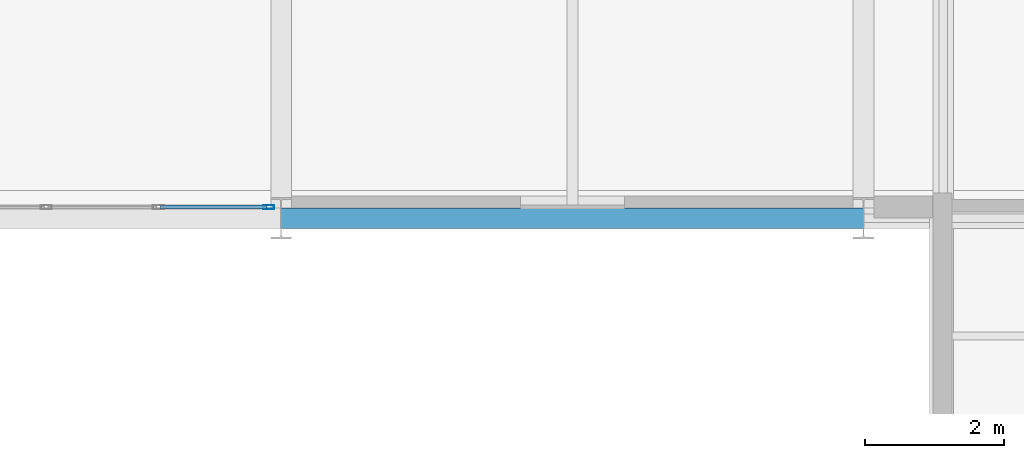
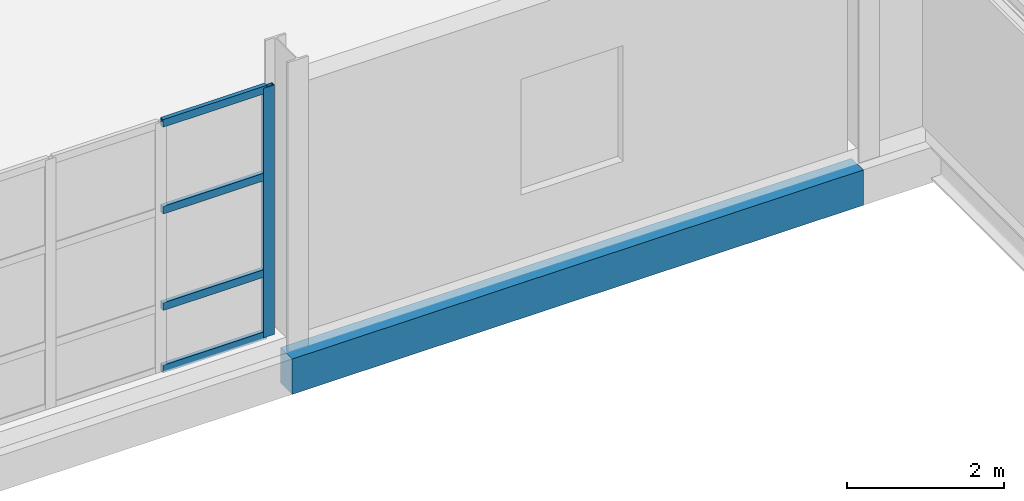
# One storey, part 52 of 130: 5 members, 1 beam, 1 element without a shape of its own.
"""IFC4 building model written with IfcOpenShell, lengths in metres."""

from ifc_helpers import new_model, si_unit, direction, frame, origin, origin_2d, place, context, subcontext, project, spatial, rectangle, hollow_rectangle, extrude, material, material_profile, profile_set, type_object, element, aggregate, save


model = new_model("IFC4")

# Units and contexts
model_context = context("Model", 3, precision=1e-05, world=origin(), true_north=direction((0.0, 1.0)))
body_context = subcontext(model_context, "Body", "Model", "MODEL_VIEW")
ifc_project = project(units=[si_unit("LENGTHUNIT", "METRE"), si_unit("AREAUNIT", "SQUARE_METRE"), si_unit("VOLUMEUNIT", "CUBIC_METRE"), si_unit("PLANEANGLEUNIT", "RADIAN"), si_unit("MASSUNIT", "GRAM", prefix="KILO")], contexts=[model_context])

# Site, building, storey
site_placement = place(None, origin())
site = spatial("IfcSite", under=ifc_project, at=site_placement, CompositionType="ELEMENT")
building_placement = place(site_placement, origin())
building = spatial("IfcBuilding", under=site, at=building_placement, Name="Veltarok Museum of Natural Sciences", CompositionType="ELEMENT")
storey_placement = place(building_placement, frame((0.0, 0.0, 12.89990234375)))
storey = spatial("IfcBuildingStorey", under=building, at=storey_placement, Name="L02", CompositionType="ELEMENT", Elevation=12.89990234375)

# Curtain wall, members
ifc_material_1 = material(Name="Low-iron triple insulated glass", Category="glass")
curtain_wall_type = type_object("IfcCurtainWallType", Name="Curtain Wall System CW-V5S-L02-14-810x388 (V5 South Lab Curtain Wall L02 14-15 810x388cm)", PredefinedType="NOTDEFINED", material=ifc_material_1)
curtain_wall_placement = place(storey_placement, origin())
curtain_wall = element("IfcCurtainWall", 1, at=curtain_wall_placement, inside=storey, type_object=curtain_wall_type, Name="Curtain Wall CW-V5S-L02-14-810x388 CW-0092", PredefinedType="NOTDEFINED")
ifc_material_2 = material(Name="Thermally broken anodised aluminium", Category="aluminium")
ifc_material_profile_1 = material_profile(ifc_material_2, hollow_rectangle(XDim=0.06005859375, YDim=0.1201171875, WallThickness=0.0048828125, at=origin_2d()), Name="CW TRANSOM 60x120x5")
ifc_profile_set_1 = profile_set([ifc_material_profile_1], Name="Thermally broken anodised aluminium")
member_type_1 = type_object("IfcMemberType", Name="Curtain Wall Horizontal Transom 60x120x5", PredefinedType="USERDEFINED", material=ifc_profile_set_1)
member_1_placement = place(storey_placement, frame((122.260009765625, 0.159912109375, 0.030029296875), z_axis=(1.0, 0.0, 0.0), x_axis=(0.0, 1.0, 0.0)))
member_1 = element("IfcMember", 2, at=member_1_placement, type_object=member_type_1, Name="CW-V5S-L02-14-810x388 transom 5.1", ObjectType="TRANSOM", PredefinedType="USERDEFINED", context=body_context, shape_type="SweptSolid", body=[
    extrude(hollow_rectangle(XDim=0.06005859375, YDim=0.1201171875, WallThickness=0.0048828125, at=origin_2d()), origin(), (0.0, 0.0, 1.0), 1.530029296875),
])
member_2_placement = place(storey_placement, frame((122.260009765625, 0.159912109375, 1.0), z_axis=(1.0, 0.0, 0.0), x_axis=(0.0, 1.0, 0.0)))
member_2 = element("IfcMember", 3, at=member_2_placement, type_object=member_type_1, Name="CW-V5S-L02-14-810x388 transom 5.2", ObjectType="TRANSOM", PredefinedType="USERDEFINED", context=body_context, shape_type="SweptSolid", body=[
    extrude(hollow_rectangle(XDim=0.06005859375, YDim=0.1201171875, WallThickness=0.0048828125, at=origin_2d()), origin(), (0.0, 0.0, 1.0), 1.530029296875),
])
member_3_placement = place(storey_placement, frame((122.260009765625, 0.159912109375, 2.5), z_axis=(1.0, 0.0, 0.0), x_axis=(0.0, 1.0, 0.0)))
member_3 = element("IfcMember", 4, at=member_3_placement, type_object=member_type_1, Name="CW-V5S-L02-14-810x388 transom 5.3", ObjectType="TRANSOM", PredefinedType="USERDEFINED", context=body_context, shape_type="SweptSolid", body=[
    extrude(hollow_rectangle(XDim=0.06005859375, YDim=0.1201171875, WallThickness=0.0048828125, at=origin_2d()), origin(), (0.0, 0.0, 1.0), 1.530029296875),
])
member_4_placement = place(storey_placement, frame((122.260009765625, 0.159912109375, 3.85009765625), z_axis=(1.0, 0.0, 0.0), x_axis=(0.0, 1.0, 0.0)))
member_4 = element("IfcMember", 5, at=member_4_placement, type_object=member_type_1, Name="CW-V5S-L02-14-810x388 transom 5.4", ObjectType="TRANSOM", PredefinedType="USERDEFINED", context=body_context, shape_type="SweptSolid", body=[
    extrude(hollow_rectangle(XDim=0.06005859375, YDim=0.1201171875, WallThickness=0.0048828125, at=origin_2d()), origin(), (0.0, 0.0, 1.0), 1.530029296875),
])
ifc_material_profile_2 = material_profile(ifc_material_2, hollow_rectangle(XDim=0.06005859375, YDim=0.159912109375, WallThickness=0.0048828125, at=origin_2d()), Name="CW MULLION 60x160x5")
ifc_profile_set_2 = profile_set([ifc_material_profile_2], Name="Thermally broken anodised aluminium")
member_type_2 = type_object("IfcMemberType", Name="Curtain Wall Vertical Mullion 60x160x5", PredefinedType="MULLION", material=ifc_profile_set_2)
member_5_placement = place(storey_placement, frame((123.820068359375, 0.159912109375, 0.0), z_axis=(0.0, 0.0, 1.0), x_axis=(0.0, 1.0, 0.0)))
member_5 = element("IfcMember", 6, at=member_5_placement, type_object=member_type_2, Name="CW-V5S-L02-14-810x388 mullion 6", PredefinedType="MULLION", context=body_context, shape_type="SweptSolid", body=[
    extrude(hollow_rectangle(XDim=0.06005859375, YDim=0.159912109375, WallThickness=0.0048828125, at=origin_2d()), origin(), (0.0, 0.0, 1.0), 3.880126953125),
])
aggregate(curtain_wall, [member_5, member_1, member_2, member_3, member_4])

# Beam
ifc_material_3 = material(Name="Precast concrete C40/50", Category="concrete")
ifc_material_profile_3 = material_profile(ifc_material_3, rectangle(XDim=0.300048828125, YDim=0.550048828125, at=origin_2d()), Name="RC 300x550")
ifc_profile_set_3 = profile_set([ifc_material_profile_3], Name="Precast concrete C40/50")
beam_type = type_object("IfcBeamType", Name="East Wing Precast Spandrel RC 300x550", PredefinedType="SPANDREL", material=ifc_profile_set_3)
beam_placement = place(storey_placement, frame((124.0, 0.0, -0.52490234375), z_axis=(1.0, 0.0, 0.0), x_axis=(0.0, 1.0, 0.0)))
element("IfcBeam", 7, at=beam_placement, inside=storey, type_object=beam_type, Name="Beam BM-SP02 L02 15-16/A", PredefinedType="SPANDREL", context=body_context, shape_type="SweptSolid", body=[
    extrude(rectangle(XDim=0.300048828125, YDim=0.550048828125, at=origin_2d()), origin(), (0.0, 0.0, 1.0), 8.39990234375),
])

save(model, "model.ifc")
